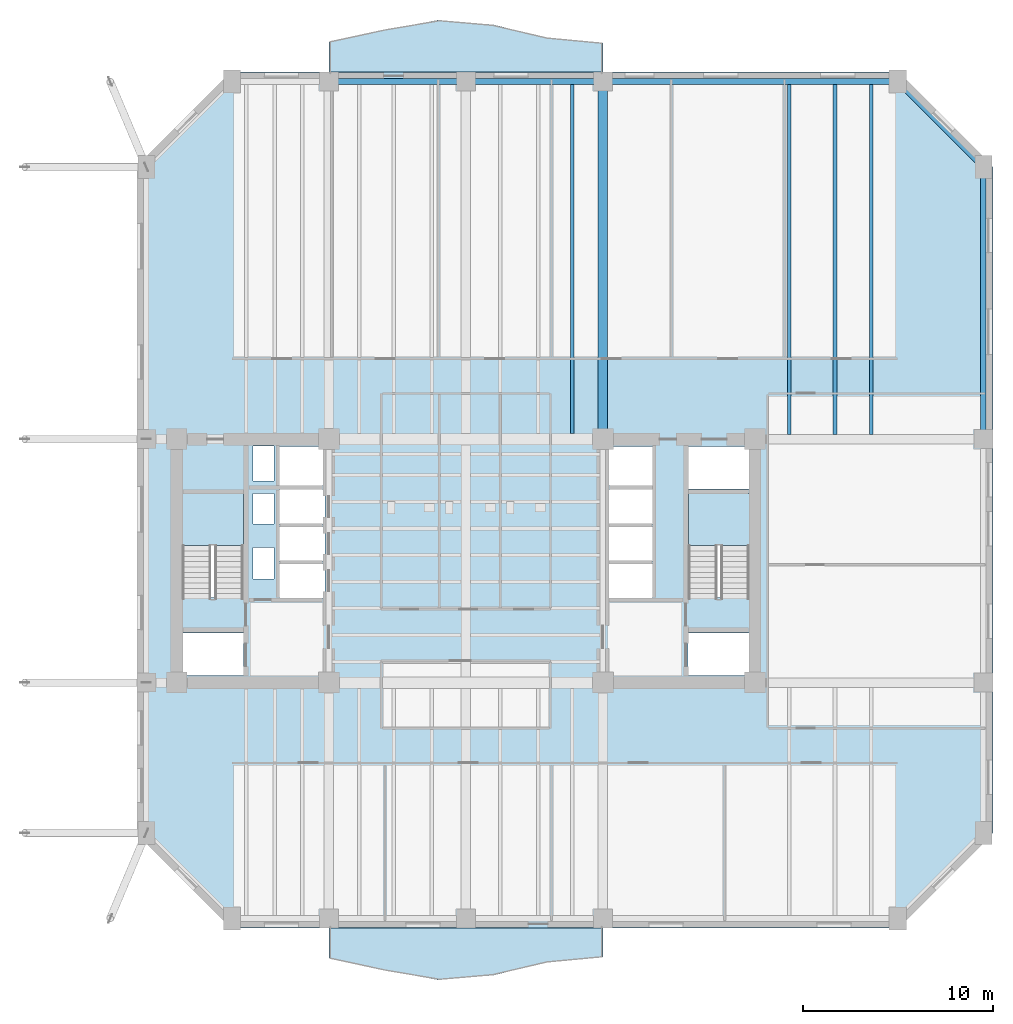
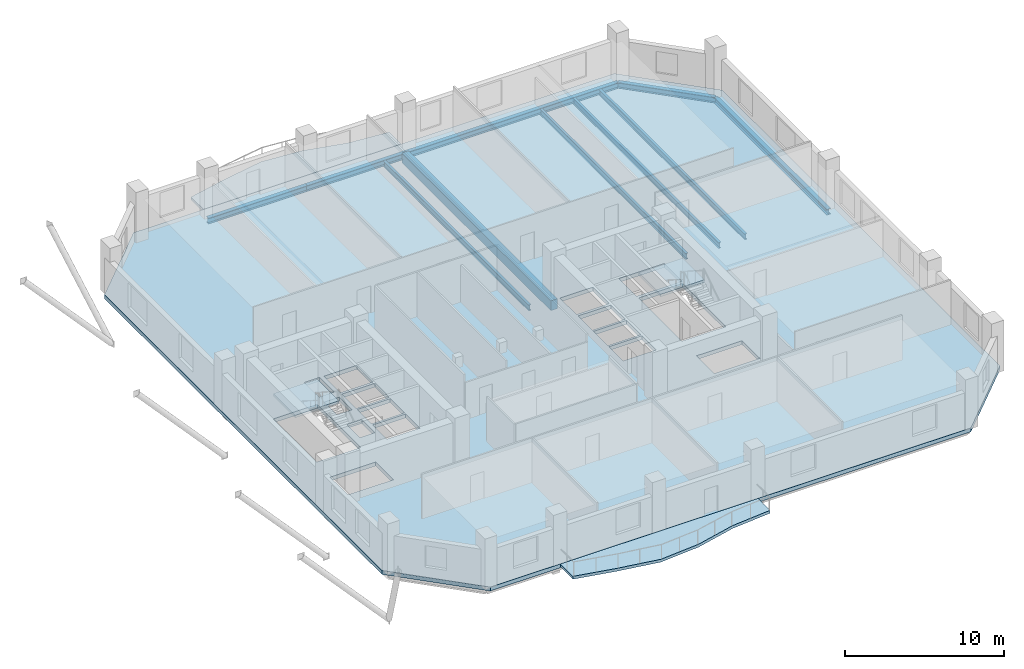
# One storey, part 2 of 12: 10 beams, 5 slabs, 2 elements without a shape of their own.
"""IFC4 building model written with IfcOpenShell, lengths in metres."""

import ifcopenshell
import ifcopenshell.guid

model = None  # the IFC model being written
_history = None  # IfcOwnerHistory: only IFC2X3 demands one
_inside = {}  # id of a spatial element -> (the spatial element, [elements in it])
_under = {}  # id of a project, library or spatial element -> (it, [spatial elements below it])
_declared = {}  # id of a project -> (the project, [libraries it declares])
_typed = {}  # id of a type object -> (the type object, [elements of that type])
_made_of = {}  # id of a material, layer set ... -> (it, [elements and type objects made of it])


def new_model(schema):
    """Start an empty IFC model of exactly this schema.

    Asked for "IFC4X3", IfcOpenShell would pick the latest addendum, in which some entities
    have other attributes; the version numbers below select the first issue.
    IFC2X3 requires an IfcOwnerHistory on every rooted entity: one is made here for all.
    """
    global model, _history
    if schema == "IFC4X3":
        model = ifcopenshell.file(schema_version=(4, 3, 0, 0))
    else:
        model = ifcopenshell.file(schema=schema)
    _inside.clear()
    _under.clear()
    _declared.clear()
    _typed.clear()
    _made_of.clear()
    _history = None
    if model.schema == "IFC2X3":
        org = make("IfcOrganization", Name="unknown")
        user = make(
            "IfcPersonAndOrganization",
            ThePerson=make("IfcPerson", FamilyName="unknown"),
            TheOrganization=org,
        )
        app = make(
            "IfcApplication",
            ApplicationDeveloper=org,
            Version="unknown",
            ApplicationFullName="unknown",
            ApplicationIdentifier="unknown",
        )
        _history = make(
            "IfcOwnerHistory",
            OwningUser=user,
            OwningApplication=app,
            ChangeAction="ADDED",
            CreationDate=0,
        )
    return model


def make(cls, **values):
    """One entity of the class cls with the attributes given. An attribute that is None is left unset."""
    return model.create_entity(
        cls, **{name: value for name, value in values.items() if value is not None}
    )


def rooted(cls, **values):
    """An entity with a GlobalId (a new one), such as an element, a storey or a relation."""
    return make(cls, GlobalId=ifcopenshell.guid.new(), OwnerHistory=_history, **values)


def si_unit(unit_type, name, prefix=None):
    """IfcSIUnit, for example si_unit("LENGTHUNIT", "METRE", prefix="MILLI")."""
    return make("IfcSIUnit", UnitType=unit_type, Prefix=prefix, Name=name)


def assignment(units):
    """IfcUnitAssignment: the units of a project."""
    return None if units is None else make("IfcUnitAssignment", Units=units)


def point(xyz):
    """IfcCartesianPoint."""
    return None if xyz is None else make("IfcCartesianPoint", Coordinates=xyz)


def direction(xyz):
    """IfcDirection."""
    return None if xyz is None else make("IfcDirection", DirectionRatios=xyz)


def frame(location, z_axis=None, x_axis=None):
    """IfcAxis2Placement3D, a coordinate frame: its origin and axes. An axis left out is left unset."""
    return make(
        "IfcAxis2Placement3D",
        Location=point(location),
        Axis=direction(z_axis),
        RefDirection=direction(x_axis),
    )


def frame_2d(location, x_axis=None):
    """IfcAxis2Placement2D, a coordinate frame in the plane: its origin and x axis."""
    return make(
        "IfcAxis2Placement2D", Location=point(location), RefDirection=direction(x_axis)
    )


def origin():
    """The frame at (0, 0, 0) with its axes left unset."""
    return frame((0.0, 0.0, 0.0))


def origin_2d():
    """The frame at (0, 0) in the plane with its x axis left unset."""
    return frame_2d((0.0, 0.0))


def place(relative_to, where):
    """IfcLocalPlacement: puts the frame where relative to a parent placement (None: the world)."""
    return make(
        "IfcLocalPlacement", PlacementRelTo=relative_to, RelativePlacement=where
    )


def context(
    kind, dimensions, precision=None, world=None, true_north=None, identifier=None
):
    """IfcGeometricRepresentationContext, for example the 3D "Model" context."""
    return make(
        "IfcGeometricRepresentationContext",
        ContextIdentifier=identifier,
        ContextType=kind,
        CoordinateSpaceDimension=dimensions,
        Precision=precision,
        WorldCoordinateSystem=world,
        TrueNorth=true_north,
    )


def subcontext(parent, identifier, kind, view, scale=None):
    """IfcGeometricRepresentationSubContext, for example "Body" below "Model"."""
    return make(
        "IfcGeometricRepresentationSubContext",
        ContextIdentifier=identifier,
        ContextType=kind,
        ParentContext=parent,
        TargetScale=scale,
        TargetView=view,
    )


def project(units=None, contexts=None):
    """IfcProject with its units and contexts."""
    return rooted(
        "IfcProject",
        Name="project",
        RepresentationContexts=contexts,
        UnitsInContext=assignment(units),
    )


def spatial(cls, under=None, at=None, **own):
    """A site, building, storey or space (cls), placed at a placement, below another one or the project."""
    s = rooted(cls, ObjectPlacement=at, **own)
    if under is not None:
        _under.setdefault(under.id(), (under, []))[1].append(s)
    return s


def polyline(points):
    """IfcPolyline through the points."""
    return make("IfcPolyline", Points=[point(p) for p in points])


def profile(cls, at=None, kind="AREA", **sizes):
    """A parametric profile (cls). Its sizes go by their IFC names, for example OverallWidth=200.0."""
    return make(cls, ProfileType=kind, Position=at, **sizes)


def rectangle(**sizes):
    """IfcRectangleProfileDef."""
    return profile("IfcRectangleProfileDef", **sizes)


def i_section(**sizes):
    """IfcIShapeProfileDef."""
    return profile("IfcIShapeProfileDef", **sizes)


def outline(outer, holes=None, kind="AREA"):
    """IfcArbitraryClosedProfileDef: a profile drawn as a closed curve; with holes, ...WithVoids."""
    if holes is None:
        return make("IfcArbitraryClosedProfileDef", ProfileType=kind, OuterCurve=outer)
    return make(
        "IfcArbitraryProfileDefWithVoids",
        ProfileType=kind,
        OuterCurve=outer,
        InnerCurves=holes,
    )


def extrude(swept, where, along, depth):
    """IfcExtrudedAreaSolid: the profile swept, set in the frame where, extruded along a direction by depth."""
    return make(
        "IfcExtrudedAreaSolid",
        SweptArea=swept,
        Position=where,
        ExtrudedDirection=direction(along),
        Depth=depth,
    )


def shape(context_of_items, identifier, shape_type, items):
    """IfcShapeRepresentation: the items that make up one representation, for example the "Body"."""
    return make(
        "IfcShapeRepresentation",
        ContextOfItems=context_of_items,
        RepresentationIdentifier=identifier,
        RepresentationType=shape_type,
        Items=items,
    )


def material(Name=None, Category=None):
    """IfcMaterial."""
    return make("IfcMaterial", Name=Name, Category=Category)


def layer(
    of_material, thickness, ventilated=None, Name=None, Category=None, Priority=None
):
    """IfcMaterialLayer: one layer of a wall or slab, of a material (None: an air gap)."""
    return make(
        "IfcMaterialLayer",
        Material=of_material,
        LayerThickness=thickness,
        IsVentilated=ventilated,
        Name=Name,
        Category=Category,
        Priority=Priority,
    )


def layer_set(layers, Name=None):
    """IfcMaterialLayerSet."""
    return make("IfcMaterialLayerSet", MaterialLayers=layers, LayerSetName=Name)


def material_profile(
    of_material, cross_section, Name=None, Category=None, Priority=None
):
    """IfcMaterialProfile: a cross section and its material."""
    return make(
        "IfcMaterialProfile",
        Name=Name,
        Material=of_material,
        Profile=cross_section,
        Priority=Priority,
        Category=Category,
    )


def profile_set(profiles, Name=None, composite=None):
    """IfcMaterialProfileSet."""
    return make(
        "IfcMaterialProfileSet",
        Name=Name,
        MaterialProfiles=profiles,
        CompositeProfile=composite,
    )


def made_of(thing, what):
    """Note that an element or type object is made of a material, layer set ...; save() writes the relation."""
    if what is not None:
        _made_of.setdefault(what.id(), (what, []))[1].append(thing)
    return thing


def type_object(cls, material=None, **own):
    """A type object (cls), such as IfcWallType, which elements share."""
    return made_of(rooted(cls, **own), material)


def element(
    cls,
    number,
    at=None,
    inside=None,
    cuts=None,
    type_object=None,
    material=None,
    context=None,
    identifier="Body",
    shape_type=None,
    held_by="IfcProductDefinitionShape",
    body=None,
    shapes=None,
    **own,
):
    """One element of the class cls, such as IfcWall. Its Tag is "e" and its number.

    at: its placement. inside: the storey or other place that contains it. cuts: it is an
    opening in that element (IfcRelVoidsElement). A single representation is given by context,
    identifier, shape_type and body (its items); several are given by shapes. held_by: the class
    of the entity that holds the representations. save() writes the other relations.
    """
    e = rooted(cls, Tag="e%d" % number, ObjectPlacement=at, **own)
    if body is not None:
        shapes = [shape(context, identifier, shape_type, body)]
    if shapes is not None:
        e.Representation = make(held_by, Representations=shapes)
    if inside is not None:
        _inside.setdefault(inside.id(), (inside, []))[1].append(e)
    if cuts is not None:
        rooted(
            "IfcRelVoidsElement", RelatingBuildingElement=cuts, RelatedOpeningElement=e
        )
    if type_object is not None:
        _typed.setdefault(type_object.id(), (type_object, []))[1].append(e)
    return made_of(e, material)


def aggregate(whole, parts):
    """IfcRelAggregates: a whole, such as a stair, and the parts it consists of."""
    return rooted("IfcRelAggregates", RelatingObject=whole, RelatedObjects=parts)


def save(model, path):
    """Write the relations noted so far, then the file.

    IfcRelAggregates (storeys below a building ...), IfcRelContainedInSpatialStructure (elements
    in a storey), IfcRelDefinesByType, IfcRelAssociatesMaterial and IfcRelDeclares: one each for
    every whole, place, type object, material and project.
    """
    for whole, parts in _under.values():
        aggregate(whole, parts)
    for where, things in _inside.values():
        rooted(
            "IfcRelContainedInSpatialStructure",
            RelatedElements=things,
            RelatingStructure=where,
        )
    for kind, things in _typed.values():
        rooted("IfcRelDefinesByType", RelatedObjects=things, RelatingType=kind)
    for what, things in _made_of.values():
        rooted("IfcRelAssociatesMaterial", RelatedObjects=things, RelatingMaterial=what)
    for by, libraries in _declared.values():
        rooted("IfcRelDeclares", RelatingContext=by, RelatedDefinitions=libraries)
    model.write(path)


model = new_model("IFC4")

# Units and contexts
model_context = context("Model", 3, precision=1e-05, world=origin(), true_north=direction((0.0, 1.0)))
body_context = subcontext(model_context, "Body", "Model", "MODEL_VIEW")
ifc_project = project(units=[si_unit("LENGTHUNIT", "METRE"), si_unit("AREAUNIT", "SQUARE_METRE"), si_unit("VOLUMEUNIT", "CUBIC_METRE"), si_unit("PLANEANGLEUNIT", "RADIAN"), si_unit("MASSUNIT", "GRAM", prefix="KILO")], contexts=[model_context])

# Site, building, storey
site_placement = place(None, origin())
site = spatial("IfcSite", under=ifc_project, at=site_placement, CompositionType="ELEMENT")
building_placement = place(site_placement, origin())
building = spatial("IfcBuilding", under=site, at=building_placement, Name="Kranthara Brick Stack", CompositionType="ELEMENT")
storey_placement = place(building_placement, frame((0.0, 0.0, 90.60009765625)))
storey = spatial("IfcBuildingStorey", under=building, at=storey_placement, Name="L22", CompositionType="ELEMENT", Elevation=90.60009765625)

# Beams
ifc_material_1 = material(Name="Post-tensioned concrete C45/55", Category="concrete")
ifc_material_profile_1 = material_profile(ifc_material_1, rectangle(XDim=0.5, YDim=0.75, at=origin_2d()), Name="PT 500x750")
ifc_profile_set_1 = profile_set([ifc_material_profile_1], Name="Post-tensioned concrete C45/55")
beam_type_1 = type_object("IfcBeamType", Name="BM-FLR-PT750", PredefinedType="BEAM", material=ifc_profile_set_1)
beam_1_placement = place(storey_placement, frame((35.199951171875, 33.60009765625, -0.675048828125), z_axis=(0.0, 1.0, 0.0), x_axis=(-1.0, 0.0, 0.0)))
element("IfcBeam", 1, at=beam_1_placement, inside=storey, type_object=beam_type_1, Name="L22 Primary Grid Girder 029", PredefinedType="BEAM", context=body_context, shape_type="SweptSolid", body=[
    extrude(rectangle(XDim=0.5, YDim=0.75, at=origin_2d()), origin(), (0.0, 0.0, 1.0), 18.7998046875),
])
ifc_material_2 = material(Name="Steel S355", Category="steel")
ifc_material_profile_2 = material_profile(ifc_material_2, i_section(OverallWidth=0.18994140625, OverallDepth=0.449951171875, WebThickness=0.009521484375, FlangeThickness=0.0146484375, at=origin_2d()), Name="IPE 450")
ifc_profile_set_2 = profile_set([ifc_material_profile_2], Name="Steel S355")
beam_type_2 = type_object("IfcBeamType", Name="BM-JST-IPE450", PredefinedType="JOIST", material=ifc_profile_set_2)
beam_2_placement = place(storey_placement, frame((33.60009765625, 33.89990234375, -0.525146484375), z_axis=(0.0, 1.0, 0.0), x_axis=(-1.0, 0.0, 0.0)))
element("IfcBeam", 2, at=beam_2_placement, inside=storey, type_object=beam_type_2, Name="L22 North Wing Floor Joist 069", PredefinedType="JOIST", context=body_context, shape_type="SweptSolid", body=[
    extrude(i_section(OverallWidth=0.18994140625, OverallDepth=0.449951171875, WebThickness=0.009521484375, FlangeThickness=0.0146484375, at=origin_2d()), origin(), (0.0, 0.0, 1.0), 18.35009765625),
])
for number, where, z_axis, x_axis, name in (
    (3, (45.0, 33.85009765625, -0.525146484375), (0.0, 1.0, 0.0), (-1.0, 0.0, 0.0), "L22 North Wing Floor Joist 071"),
    (4, (47.39990234375, 33.85009765625, -0.525146484375), (0.0, 1.0, 0.0), (-1.0, 0.0, 0.0), "L22 North Wing Floor Joist 073"),
    (5, (49.300048828125, 33.85009765625, -0.525146484375), (0.0, 1.0, 0.0), (-1.0, 0.0, 0.0), "L22 North Wing Floor Joist 075"),
):
    element("IfcBeam", number, at=place(storey_placement, frame(where, z_axis=z_axis, x_axis=x_axis)), inside=storey, type_object=beam_type_2, Name=name, PredefinedType="JOIST", context=body_context, shape_type="SweptSolid", body=[
        extrude(i_section(OverallWidth=0.18994140625, OverallDepth=0.449951171875, WebThickness=0.009521484375, FlangeThickness=0.0146484375, at=origin_2d()), origin(), (0.0, 0.0, 1.0), 18.39990234375),
    ])
ifc_material_3 = material(Name="Steel S355", Category="steel")
ifc_material_profile_3 = material_profile(ifc_material_3, i_section(OverallWidth=0.300048828125, OverallDepth=0.449951171875, WebThickness=0.013916015625, FlangeThickness=0.02587890625, at=origin_2d()), Name="HEB 450")
ifc_profile_set_3 = profile_set([ifc_material_profile_3], Name="Steel S355")
beam_type_3 = type_object("IfcBeamType", Name="BM-STL-HEB450", PredefinedType="SPANDREL", material=ifc_profile_set_3)
for number, where, z_axis, x_axis, name in (
    (6, (20.800048828125, 52.39990234375, -0.525146484375), (1.0, 0.0, 0.0), (0.0, 1.0, 0.0), "L22 Perimeter Spandrel Beam 010"),
    (7, (28.0, 52.39990234375, -0.525146484375), (1.0, 0.0, 0.0), (0.0, 1.0, 0.0), "L22 Perimeter Spandrel Beam 011"),
):
    element("IfcBeam", number, at=place(storey_placement, frame(where, z_axis=z_axis, x_axis=x_axis)), inside=storey, type_object=beam_type_3, Name=name, PredefinedType="SPANDREL", context=body_context, shape_type="SweptSolid", body=[
        extrude(i_section(OverallWidth=0.300048828125, OverallDepth=0.449951171875, WebThickness=0.013916015625, FlangeThickness=0.02587890625, at=origin_2d()), origin(), (0.0, 0.0, 1.0), 7.199951171875),
    ])
beam_3_placement = place(storey_placement, frame((35.199951171875, 52.39990234375, -0.525146484375), z_axis=(1.0, 0.0, 0.0), x_axis=(0.0, 1.0, 0.0)))
element("IfcBeam", 8, at=beam_3_placement, inside=storey, type_object=beam_type_3, Name="L22 Perimeter Spandrel Beam 012", PredefinedType="SPANDREL", context=body_context, shape_type="SweptSolid", body=[
    extrude(i_section(OverallWidth=0.300048828125, OverallDepth=0.449951171875, WebThickness=0.013916015625, FlangeThickness=0.02587890625, at=origin_2d()), origin(), (0.0, 0.0, 1.0), 15.5),
])
beam_4_placement = place(storey_placement, frame((55.199951171875, 33.60009765625, -0.525146484375), z_axis=(0.0, 1.0, 0.0), x_axis=(-1.0, 0.0, 0.0)))
element("IfcBeam", 9, at=beam_4_placement, inside=storey, type_object=beam_type_3, Name="L22 Perimeter Spandrel Beam 018", PredefinedType="SPANDREL", context=body_context, shape_type="SweptSolid", body=[
    extrude(i_section(OverallWidth=0.300048828125, OverallDepth=0.449951171875, WebThickness=0.013916015625, FlangeThickness=0.02587890625, at=origin_2d()), origin(), (0.0, 0.0, 1.0), 14.2998046875),
])
beam_5_placement = place(storey_placement, frame((50.699951171875, 52.39990234375, -0.525146484375), z_axis=(0.707106781187, -0.707106781187, 0.0), x_axis=(0.707106781187, 0.707106781187, 0.0)))
element("IfcBeam", 10, at=beam_5_placement, inside=storey, type_object=beam_type_3, Name="L22 Chamfer Corner Spandrel 022", PredefinedType="SPANDREL", context=body_context, shape_type="SweptSolid", body=[
    extrude(i_section(OverallWidth=0.300048828125, OverallDepth=0.449951171875, WebThickness=0.013916015625, FlangeThickness=0.02587890625, at=origin_2d()), origin(), (0.0, 0.0, 1.0), 6.364013671875),
])

# Slabs
ifc_material_4 = material(Name="Concrete C45/55", Category="concrete")
ifc_layer_1 = layer(ifc_material_4, 0.219970703125)
ifc_layer_set_1 = layer_set([ifc_layer_1], Name="Concrete C45/55")
slab_type_1 = type_object("IfcSlabType", Name="SLB-BALC-220", PredefinedType="FLOOR", material=ifc_layer_set_1)
slab_1_placement = place(storey_placement, frame((0.0, 0.0, -0.22021484375)))
element("IfcSlab", 11, at=slab_1_placement, inside=storey, type_object=slab_type_1, Name="L22 South Rippling Balcony Slab", PredefinedType="FLOOR", context=body_context, shape_type="SweptSolid", body=[
    extrude(outline(polyline([(20.800048828125, 7.89990234375), (35.199951171875, 7.89990234375), (35.199951171875, 6.388427734375), (32.320068359375, 6.114013671875), (29.43994140625, 5.413330078125), (26.56005859375, 5.16748046875), (23.679931640625, 5.685791015625), (20.800048828125, 6.316162109375), (20.800048828125, 7.89990234375)])), origin(), (0.0, 0.0, 1.0), 0.22021484375),
])
slab_2_placement = place(storey_placement, frame((0.0, 0.0, -0.22021484375)))
element("IfcSlab", 12, at=slab_2_placement, inside=storey, type_object=slab_type_1, Name="L22 North Rippling Balcony Slab", PredefinedType="FLOOR", context=body_context, shape_type="SweptSolid", body=[
    extrude(outline(polyline([(35.199951171875, 52.89990234375), (20.800048828125, 52.89990234375), (20.800048828125, 54.483642578125), (23.679931640625, 55.1142578125), (26.56005859375, 55.632568359375), (29.43994140625, 55.38671875), (32.320068359375, 54.68603515625), (35.199951171875, 54.41162109375), (35.199951171875, 52.89990234375)])), origin(), (0.0, 0.0, 1.0), 0.22021484375),
])

# Stair, slab
ifc_material_5 = material(Name="Concrete C45/55", Category="concrete")
stair_type = type_object("IfcStairType", Name="ST-CORE-22R", PredefinedType="HALF_TURN_STAIR", material=ifc_material_5)
stair_1_placement = place(storey_placement, origin())
stair_1 = element("IfcStair", 13, at=stair_1_placement, inside=storey, type_object=stair_type, Name="L22 West Core Protected Exit Stair ST01", PredefinedType="HALF_TURN_STAIR")
ifc_material_6 = material(Name="Concrete C45/55", Category="concrete")
ifc_layer_2 = layer(ifc_material_6, 0.199951171875)
ifc_layer_set_2 = layer_set([ifc_layer_2], Name="Concrete C45/55")
slab_type_2 = type_object("IfcSlabType", Name="SLB-LANDING-200", PredefinedType="LANDING", material=ifc_layer_set_2)
slab_3_placement = place(storey_placement, frame((0.0, 0.0, 1.75)))
slab_3 = element("IfcSlab", 14, at=slab_3_placement, type_object=slab_type_2, Name="ST01 landing 1", PredefinedType="LANDING", context=body_context, shape_type="SweptSolid", body=[
    extrude(outline(polyline([(16.300048828125, 28.0), (16.300048828125, 30.75), (13.10009765625, 30.75), (13.10009765625, 28.0), (16.300048828125, 28.0)])), origin(), (0.0, 0.0, 1.0), 0.199951171875),
])
aggregate(stair_1, [slab_3])

stair_2_placement = place(storey_placement, origin())
stair_2 = element("IfcStair", 15, at=stair_2_placement, inside=storey, type_object=stair_type, Name="L22 East Core Protected Exit Stair ST02", PredefinedType="HALF_TURN_STAIR")
slab_4_placement = place(storey_placement, frame((0.0, 0.0, 1.75)))
slab_4 = element("IfcSlab", 16, at=slab_4_placement, type_object=slab_type_2, Name="ST02 landing 1", PredefinedType="LANDING", context=body_context, shape_type="SweptSolid", body=[
    extrude(outline(polyline([(42.89990234375, 28.0), (42.89990234375, 30.75), (39.699951171875, 30.75), (39.699951171875, 28.0), (42.89990234375, 28.0)])), origin(), (0.0, 0.0, 1.0), 0.199951171875),
])
aggregate(stair_2, [slab_4])

# Slab
ifc_material_7 = material(Name="Post-tensioned concrete C45/55", Category="concrete")
ifc_layer_3 = layer(ifc_material_7, 0.300048828125)
ifc_layer_set_3 = layer_set([ifc_layer_3], Name="Post-tensioned concrete C45/55")
slab_type_3 = type_object("IfcSlabType", Name="SLB-TWR-300", PredefinedType="FLOOR", material=ifc_layer_set_3)
slab_5_placement = place(storey_placement, frame((0.0, 0.0, -0.300048828125)))
element("IfcSlab", 17, at=slab_5_placement, inside=storey, type_object=slab_type_3, Name="L22 Structural Floor Plate", PredefinedType="FLOOR", context=body_context, shape_type="SweptSolid", body=[
    extrude(outline(polyline([(15.699951171875, 7.89990234375), (50.699951171875, 7.89990234375), (55.699951171875, 12.89990234375), (55.699951171875, 47.89990234375), (50.699951171875, 52.89990234375), (15.699951171875, 52.89990234375), (10.699951171875, 47.89990234375), (10.699951171875, 12.89990234375), (15.699951171875, 7.89990234375)]), holes=[polyline([(13.10009765625, 25.280029296875), (16.300048828125, 25.280029296875), (16.300048828125, 30.75), (13.10009765625, 30.75), (13.10009765625, 25.280029296875)]), polyline([(39.699951171875, 25.280029296875), (42.89990234375, 25.280029296875), (42.89990234375, 30.75), (39.699951171875, 30.75), (39.699951171875, 25.280029296875)]), polyline([(13.0, 21.179931640625), (16.320068359375, 21.179931640625), (16.320068359375, 23.419921875), (13.0, 23.419921875), (13.0, 21.179931640625)]), polyline([(39.679931640625, 21.179931640625), (43.0, 21.179931640625), (43.0, 23.419921875), (39.679931640625, 23.419921875), (39.679931640625, 21.179931640625)]), polyline([(39.679931640625, 30.97998046875), (43.0, 30.97998046875), (43.0, 33.219970703125), (39.679931640625, 33.219970703125), (39.679931640625, 30.97998046875)]), polyline([(18.199951171875, 25.25), (20.60009765625, 25.25), (20.60009765625, 27.050048828125), (18.199951171875, 27.050048828125), (18.199951171875, 25.25)]), polyline([(18.199951171875, 27.199951171875), (20.60009765625, 27.199951171875), (20.60009765625, 29.0), (18.199951171875, 29.0), (18.199951171875, 27.199951171875)]), polyline([(18.199951171875, 29.14990234375), (20.60009765625, 29.14990234375), (20.60009765625, 30.949951171875), (18.199951171875, 30.949951171875), (18.199951171875, 29.14990234375)]), polyline([(35.39990234375, 25.25), (37.800048828125, 25.25), (37.800048828125, 27.050048828125), (35.39990234375, 27.050048828125), (35.39990234375, 25.25)]), polyline([(35.39990234375, 27.199951171875), (37.800048828125, 27.199951171875), (37.800048828125, 29.0), (35.39990234375, 29.0), (35.39990234375, 27.199951171875)]), polyline([(35.39990234375, 29.14990234375), (37.800048828125, 29.14990234375), (37.800048828125, 30.949951171875), (35.39990234375, 30.949951171875), (35.39990234375, 29.14990234375)]), polyline([(18.199951171875, 31.14990234375), (20.60009765625, 31.14990234375), (20.60009765625, 33.219970703125), (18.199951171875, 33.219970703125), (18.199951171875, 31.14990234375)]), polyline([(35.39990234375, 31.14990234375), (37.800048828125, 31.14990234375), (37.800048828125, 33.219970703125), (35.39990234375, 33.219970703125), (35.39990234375, 31.14990234375)]), polyline([(16.800048828125, 26.25), (17.89990234375, 26.25), (17.89990234375, 27.89990234375), (16.800048828125, 27.89990234375), (16.800048828125, 26.25)]), polyline([(16.800048828125, 29.14990234375), (17.89990234375, 29.14990234375), (17.89990234375, 30.75), (16.800048828125, 30.75), (16.800048828125, 29.14990234375)]), polyline([(16.800048828125, 31.39990234375), (17.89990234375, 31.39990234375), (17.89990234375, 33.25), (16.800048828125, 33.25), (16.800048828125, 31.39990234375)])]), origin(), (0.0, 0.0, 1.0), 0.300048828125),
])

save(model, "model.ifc")
